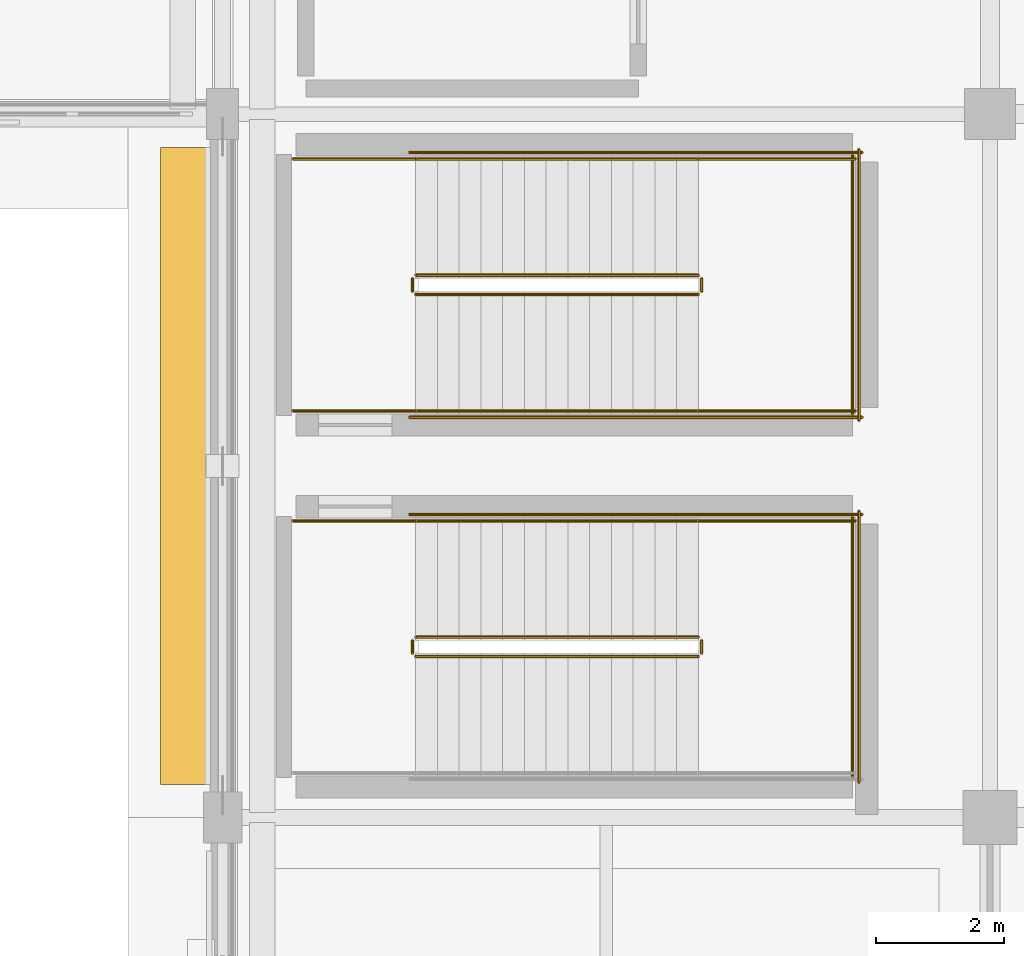
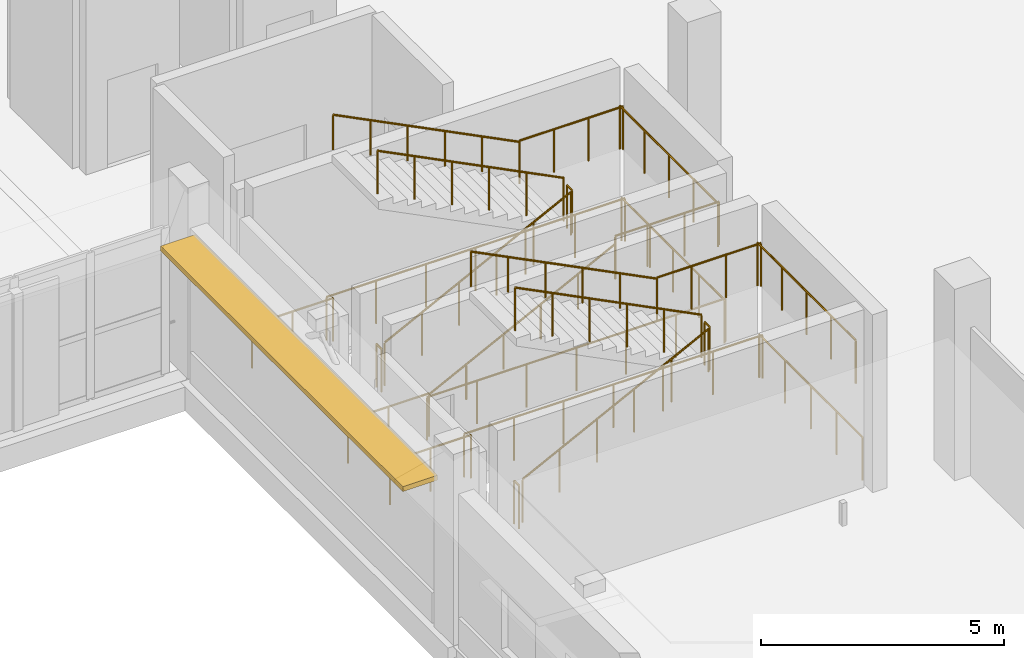
# One storey, part 126 of 143: 24 railings, 1 shading device.
"""IFC4 building model written with IfcOpenShell, lengths in metres."""

from ifc_helpers import new_model, si_unit, direction, frame, origin, origin_2d, place, context, subcontext, project, spatial, rectangle, circle, extrude, material, layer, layer_set, type_object, element, save


model = new_model("IFC4")

# Units and contexts
model_context = context("Model", 3, precision=1e-05, world=origin(), true_north=direction((0.0, 1.0)))
body_context = subcontext(model_context, "Body", "Model", "MODEL_VIEW")
ifc_project = project(units=[si_unit("LENGTHUNIT", "METRE"), si_unit("AREAUNIT", "SQUARE_METRE"), si_unit("VOLUMEUNIT", "CUBIC_METRE"), si_unit("PLANEANGLEUNIT", "RADIAN"), si_unit("MASSUNIT", "GRAM", prefix="KILO")], contexts=[model_context])

# Site, building, storey
site_placement = place(None, origin())
site = spatial("IfcSite", under=ifc_project, at=site_placement, CompositionType="ELEMENT")
building_placement = place(site_placement, origin())
building = spatial("IfcBuilding", under=site, at=building_placement, Name="Luwafu Chhajja Arena", CompositionType="ELEMENT")
storey_placement = place(building_placement, frame((0.0, 0.0, 5.39990234375)))
storey = spatial("IfcBuildingStorey", under=building, at=storey_placement, Name="L01", CompositionType="ELEMENT", Elevation=5.39990234375)

# Shading device
ifc_material_1 = material(Name="Red laterite sandstone chhajja", Category="masonry")
ifc_layer = layer(ifc_material_1, 0.1201171875, Name="Red laterite sandstone chhajja")
ifc_layer_set = layer_set([ifc_layer], Name="Red laterite sandstone chhajja")
shading_device_type = type_object("IfcShadingDeviceType", Name="Sloped Red-Sandstone Chhajja Eave", PredefinedType="USERDEFINED", material=ifc_layer_set)
shading_device_placement = place(storey_placement, frame((33.43994140625, 82.5, 3.5498046875), z_axis=(0.0, 0.0, 1.0), x_axis=(0.0, 1.0, 0.0)))
element("IfcShadingDevice", 1, at=shading_device_placement, inside=storey, type_object=shading_device_type, Name="L01 Sloped Red-Sandstone Chhajja Eave 036", ObjectType="CHHAJJA", PredefinedType="USERDEFINED", context=body_context, shape_type="SweptSolid", body=[
    extrude(rectangle(XDim=9.9599609375, YDim=0.820068359375, at=origin_2d()), origin(), (0.0, 0.0, 1.0), 0.1201171875),
])

# Railings
ifc_material_2 = material(Name="Stainless steel handrail", Category="steel")
railing_type_1 = type_object("IfcRailingType", Name="Stair Pitch Wall Handrail 920", PredefinedType="HANDRAIL", material=ifc_material_2)
railing_1_placement = place(storey_placement, frame((41.43994140625, 81.639892578125, 2.571533203125)))
element("IfcRailing", 2, at=railing_1_placement, inside=storey, type_object=railing_type_1, Name="L01 ST-05 stair handrail 2", PredefinedType="HANDRAIL", context=body_context, shape_type="SweptSolid", body=[
    extrude(circle(Radius=0.02392578125, at=origin_2d()), frame((0.0, 0.0, 0.8759765625), z_axis=(-0.89292277971, 0.0, 0.450209850486), x_axis=(0.0, -1.0, 0.0)), (0.0, 0.0, 1.0), 4.949951171875),
    extrude(circle(Radius=0.02099609375, at=origin_2d()), origin(), (0.0, 0.0, 1.0), 0.851806640625),
    extrude(circle(Radius=0.02099609375, at=origin_2d()), frame((-0.884033203125, 0.0, 0.44580078125)), (0.0, 0.0, 1.0), 0.851806640625),
    extrude(circle(Radius=0.02099609375, at=origin_2d()), frame((-1.76806640625, 0.0, 0.891357421875)), (0.0, 0.0, 1.0), 0.851806640625),
    extrude(circle(Radius=0.02099609375, at=origin_2d()), frame((-2.65185546875, 0.0, 1.337158203125)), (0.0, 0.0, 1.0), 0.851806640625),
    extrude(circle(Radius=0.02099609375, at=origin_2d()), frame((-3.535888671875, 0.0, 1.78271484375)), (0.0, 0.0, 1.0), 0.851806640625),
    extrude(circle(Radius=0.02099609375, at=origin_2d()), frame((-4.419921875, 0.0, 2.228515625)), (0.0, 0.0, 1.0), 0.851806640625),
])
railing_2_placement = place(storey_placement, frame((37.02001953125, 83.360107421875, 0.171630859375)))
element("IfcRailing", 3, at=railing_2_placement, inside=storey, type_object=railing_type_1, Name="L01 ST-06 stair handrail 1", PredefinedType="HANDRAIL", context=body_context, shape_type="SweptSolid", body=[
    extrude(circle(Radius=0.02392578125, at=origin_2d()), frame((0.0, 0.0, 0.8759765625), z_axis=(0.89292277971, 0.0, 0.450209850486), x_axis=(0.0, 1.0, 0.0)), (0.0, 0.0, 1.0), 4.949951171875),
    extrude(circle(Radius=0.02099609375, at=origin_2d()), origin(), (0.0, 0.0, 1.0), 0.851806640625),
    extrude(circle(Radius=0.02099609375, at=origin_2d()), frame((0.884033203125, 0.0, 0.44580078125)), (0.0, 0.0, 1.0), 0.851806640625),
    extrude(circle(Radius=0.02099609375, at=origin_2d()), frame((1.76806640625, 0.0, 0.891357421875)), (0.0, 0.0, 1.0), 0.851806640625),
    extrude(circle(Radius=0.02099609375, at=origin_2d()), frame((2.65185546875, 0.0, 1.337158203125)), (0.0, 0.0, 1.0), 0.851806640625),
    extrude(circle(Radius=0.02099609375, at=origin_2d()), frame((3.535888671875, 0.0, 1.78271484375)), (0.0, 0.0, 1.0), 0.851806640625),
    extrude(circle(Radius=0.02099609375, at=origin_2d()), frame((4.419921875, 0.0, 2.228515625)), (0.0, 0.0, 1.0), 0.851806640625),
])
railing_3_placement = place(storey_placement, frame((41.43994140625, 87.300048828125, 2.571533203125)))
element("IfcRailing", 4, at=railing_3_placement, inside=storey, type_object=railing_type_1, Name="L01 ST-06 stair handrail 2", PredefinedType="HANDRAIL", context=body_context, shape_type="SweptSolid", body=[
    extrude(circle(Radius=0.02392578125, at=origin_2d()), frame((0.0, 0.0, 0.8759765625), z_axis=(-0.89292277971, 0.0, 0.450209850486), x_axis=(0.0, -1.0, 0.0)), (0.0, 0.0, 1.0), 4.949951171875),
    extrude(circle(Radius=0.02099609375, at=origin_2d()), origin(), (0.0, 0.0, 1.0), 0.851806640625),
    extrude(circle(Radius=0.02099609375, at=origin_2d()), frame((-0.884033203125, 0.0, 0.44580078125)), (0.0, 0.0, 1.0), 0.851806640625),
    extrude(circle(Radius=0.02099609375, at=origin_2d()), frame((-1.76806640625, 0.0, 0.891357421875)), (0.0, 0.0, 1.0), 0.851806640625),
    extrude(circle(Radius=0.02099609375, at=origin_2d()), frame((-2.65185546875, 0.0, 1.337158203125)), (0.0, 0.0, 1.0), 0.851806640625),
    extrude(circle(Radius=0.02099609375, at=origin_2d()), frame((-3.535888671875, 0.0, 1.78271484375)), (0.0, 0.0, 1.0), 0.851806640625),
    extrude(circle(Radius=0.02099609375, at=origin_2d()), frame((-4.419921875, 0.0, 2.228515625)), (0.0, 0.0, 1.0), 0.851806640625),
])
ifc_material_3 = material(Name="Stainless steel balustrade", Category="steel")
railing_type_2 = type_object("IfcRailingType", Name="Stair and Terrace Guard Balustrade 1100", PredefinedType="BALUSTRADE", material=ifc_material_3)
railing_4_placement = place(storey_placement, frame((37.02001953125, 79.52001953125, 0.171630859375)))
element("IfcRailing", 5, at=railing_4_placement, inside=storey, type_object=railing_type_2, Name="L01 ST-05 stair guard 1", PredefinedType="BALUSTRADE", context=body_context, shape_type="SweptSolid", body=[
    extrude(circle(Radius=0.02392578125, at=origin_2d()), frame((0.0, 0.0, 1.076171875), z_axis=(0.89292277971, 0.0, 0.450209850486), x_axis=(0.0, 1.0, 0.0)), (0.0, 0.0, 1.0), 4.949951171875),
    extrude(circle(Radius=0.02099609375, at=origin_2d()), origin(), (0.0, 0.0, 1.0), 1.052001953125),
    extrude(circle(Radius=0.02099609375, at=origin_2d()), frame((0.884033203125, 0.0, 0.44580078125)), (0.0, 0.0, 1.0), 1.052001953125),
    extrude(circle(Radius=0.02099609375, at=origin_2d()), frame((1.76806640625, 0.0, 0.891357421875)), (0.0, 0.0, 1.0), 1.052001953125),
    extrude(circle(Radius=0.02099609375, at=origin_2d()), frame((2.65185546875, 0.0, 1.337158203125)), (0.0, 0.0, 1.0), 1.052001953125),
    extrude(circle(Radius=0.02099609375, at=origin_2d()), frame((3.535888671875, 0.0, 1.78271484375)), (0.0, 0.0, 1.0), 1.052001953125),
    extrude(circle(Radius=0.02099609375, at=origin_2d()), frame((4.419921875, 0.0, 2.228515625)), (0.0, 0.0, 1.0), 1.052001953125),
])
railing_5_placement = place(storey_placement, frame((41.489990234375, 79.570068359375, 2.400146484375)))
element("IfcRailing", 6, at=railing_5_placement, inside=storey, type_object=railing_type_2, Name="L01 ST-05 stair guard 2", PredefinedType="BALUSTRADE", context=body_context, shape_type="SweptSolid", body=[
    extrude(circle(Radius=0.02392578125, at=origin_2d()), frame((0.0, 0.0, 1.076171875), z_axis=(0.0, 1.0, 0.0), x_axis=(-1.0, 0.0, 0.0)), (0.0, 0.0, 1.0), 0.199951171875),
    extrude(circle(Radius=0.02099609375, at=origin_2d()), origin(), (0.0, 0.0, 1.0), 1.052001953125),
    extrude(circle(Radius=0.02099609375, at=origin_2d()), frame((0.0, 0.199951171875, 0.0)), (0.0, 0.0, 1.0), 1.052001953125),
])
railing_6_placement = place(storey_placement, frame((41.43994140625, 81.639892578125, 2.400146484375)))
element("IfcRailing", 7, at=railing_6_placement, inside=storey, type_object=railing_type_2, Name="L01 ST-05 stair guard 4", PredefinedType="BALUSTRADE", context=body_context, shape_type="SweptSolid", body=[
    extrude(circle(Radius=0.02392578125, at=origin_2d()), frame((0.0, 0.0, 1.076171875), z_axis=(1.0, 0.0, 0.0), x_axis=(0.0, 1.0, 0.0)), (0.0, 0.0, 1.0), 2.4599609375),
    extrude(circle(Radius=0.02099609375, at=origin_2d()), origin(), (0.0, 0.0, 1.0), 1.052001953125),
    extrude(circle(Radius=0.02099609375, at=origin_2d()), frame((0.820068359375, 0.0, 0.0)), (0.0, 0.0, 1.0), 1.052001953125),
    extrude(circle(Radius=0.02099609375, at=origin_2d()), frame((1.639892578125, 0.0, 0.0)), (0.0, 0.0, 1.0), 1.052001953125),
    extrude(circle(Radius=0.02099609375, at=origin_2d()), frame((2.4599609375, 0.0, 0.0)), (0.0, 0.0, 1.0), 1.052001953125),
])
railing_7_placement = place(storey_placement, frame((43.85009765625, 77.64990234375, 2.400146484375)))
element("IfcRailing", 8, at=railing_7_placement, inside=storey, type_object=railing_type_2, Name="L01 ST-05 stair guard 5", PredefinedType="BALUSTRADE", context=body_context, shape_type="SweptSolid", body=[
    extrude(circle(Radius=0.02392578125, at=origin_2d()), frame((0.0, 0.0, 1.076171875), z_axis=(0.0, 1.0, 0.0), x_axis=(-1.0, 0.0, 0.0)), (0.0, 0.0, 1.0), 4.0400390625),
    extrude(circle(Radius=0.02099609375, at=origin_2d()), origin(), (0.0, 0.0, 1.0), 1.052001953125),
    extrude(circle(Radius=0.02099609375, at=origin_2d()), frame((0.0, 1.010009765625, 0.0)), (0.0, 0.0, 1.0), 1.052001953125),
    extrude(circle(Radius=0.02099609375, at=origin_2d()), frame((0.0, 2.02001953125, 0.0)), (0.0, 0.0, 1.0), 1.052001953125),
    extrude(circle(Radius=0.02099609375, at=origin_2d()), frame((0.0, 3.030029296875, 0.0)), (0.0, 0.0, 1.0), 1.052001953125),
    extrude(circle(Radius=0.02099609375, at=origin_2d()), frame((0.0, 4.0400390625, 0.0)), (0.0, 0.0, 1.0), 1.052001953125),
])
railing_8_placement = place(storey_placement, frame((41.43994140625, 79.820068359375, 2.571533203125)))
element("IfcRailing", 9, at=railing_8_placement, inside=storey, type_object=railing_type_2, Name="L01 ST-05 stair guard 6", PredefinedType="BALUSTRADE", context=body_context, shape_type="SweptSolid", body=[
    extrude(circle(Radius=0.02392578125, at=origin_2d()), frame((0.0, 0.0, 1.076171875), z_axis=(-0.89292277971, 0.0, 0.450209850486), x_axis=(0.0, -1.0, 0.0)), (0.0, 0.0, 1.0), 4.949951171875),
    extrude(circle(Radius=0.02099609375, at=origin_2d()), origin(), (0.0, 0.0, 1.0), 1.052001953125),
    extrude(circle(Radius=0.02099609375, at=origin_2d()), frame((-0.884033203125, 0.0, 0.44580078125)), (0.0, 0.0, 1.0), 1.052001953125),
    extrude(circle(Radius=0.02099609375, at=origin_2d()), frame((-1.76806640625, 0.0, 0.891357421875)), (0.0, 0.0, 1.0), 1.052001953125),
    extrude(circle(Radius=0.02099609375, at=origin_2d()), frame((-2.65185546875, 0.0, 1.337158203125)), (0.0, 0.0, 1.0), 1.052001953125),
    extrude(circle(Radius=0.02099609375, at=origin_2d()), frame((-3.535888671875, 0.0, 1.78271484375)), (0.0, 0.0, 1.0), 1.052001953125),
    extrude(circle(Radius=0.02099609375, at=origin_2d()), frame((-4.419921875, 0.0, 2.228515625)), (0.0, 0.0, 1.0), 1.052001953125),
])
railing_9_placement = place(storey_placement, frame((36.969970703125, 79.570068359375, 0.0)))
element("IfcRailing", 10, at=railing_9_placement, inside=storey, type_object=railing_type_2, Name="L01 ST-05 stair guard 7", PredefinedType="BALUSTRADE", context=body_context, shape_type="SweptSolid", body=[
    extrude(circle(Radius=0.02392578125, at=origin_2d()), frame((0.0, 0.0, 1.076171875), z_axis=(0.0, 1.0, 0.0), x_axis=(-1.0, 0.0, 0.0)), (0.0, 0.0, 1.0), 0.199951171875),
    extrude(circle(Radius=0.02099609375, at=origin_2d()), origin(), (0.0, 0.0, 1.0), 1.052001953125),
    extrude(circle(Radius=0.02099609375, at=origin_2d()), frame((0.0, 0.199951171875, 0.0)), (0.0, 0.0, 1.0), 1.052001953125),
])
railing_10_placement = place(storey_placement, frame((35.10009765625, 81.639892578125, 0.0)))
element("IfcRailing", 11, at=railing_10_placement, inside=storey, type_object=railing_type_2, Name="L01 ST-05 stair guard 9", PredefinedType="BALUSTRADE", context=body_context, shape_type="SweptSolid", body=[
    extrude(circle(Radius=0.02392578125, at=origin_2d()), frame((0.0, 0.0, 1.076171875), z_axis=(1.0, 0.0, 0.0), x_axis=(0.0, 1.0, 0.0)), (0.0, 0.0, 1.0), 1.919921875),
    extrude(circle(Radius=0.02099609375, at=origin_2d()), origin(), (0.0, 0.0, 1.0), 1.052001953125),
    extrude(circle(Radius=0.02099609375, at=origin_2d()), frame((0.9599609375, 0.0, 0.0)), (0.0, 0.0, 1.0), 1.052001953125),
    extrude(circle(Radius=0.02099609375, at=origin_2d()), frame((1.919921875, 0.0, 0.0)), (0.0, 0.0, 1.0), 1.052001953125),
])
railing_11_placement = place(storey_placement, frame((36.919921875, 81.739990234375, 0.0)))
element("IfcRailing", 12, at=railing_11_placement, inside=storey, type_object=railing_type_2, Name="L01 ST-05 stair guard 11", PredefinedType="BALUSTRADE", context=body_context, shape_type="SweptSolid", body=[
    extrude(circle(Radius=0.02392578125, at=origin_2d()), frame((0.0, 0.0, 1.076171875), z_axis=(1.0, 0.0, 0.0), x_axis=(0.0, 1.0, 0.0)), (0.0, 0.0, 1.0), 7.080078125),
    extrude(circle(Radius=0.02099609375, at=origin_2d()), origin(), (0.0, 0.0, 1.0), 1.052001953125),
    extrude(circle(Radius=0.02099609375, at=origin_2d()), frame((1.179931640625, 0.0, 0.0)), (0.0, 0.0, 1.0), 1.052001953125),
    extrude(circle(Radius=0.02099609375, at=origin_2d()), frame((2.360107421875, 0.0, 0.0)), (0.0, 0.0, 1.0), 1.052001953125),
    extrude(circle(Radius=0.02099609375, at=origin_2d()), frame((3.5400390625, 0.0, 0.0)), (0.0, 0.0, 1.0), 1.052001953125),
    extrude(circle(Radius=0.02099609375, at=origin_2d()), frame((4.719970703125, 0.0, 0.0)), (0.0, 0.0, 1.0), 1.052001953125),
    extrude(circle(Radius=0.02099609375, at=origin_2d()), frame((5.900146484375, 0.0, 0.0)), (0.0, 0.0, 1.0), 1.052001953125),
    extrude(circle(Radius=0.02099609375, at=origin_2d()), frame((7.080078125, 0.0, 0.0)), (0.0, 0.0, 1.0), 1.052001953125),
])
railing_12_placement = place(storey_placement, frame((43.949951171875, 77.550048828125, 0.0)))
element("IfcRailing", 13, at=railing_12_placement, inside=storey, type_object=railing_type_2, Name="L01 ST-05 stair guard 12", PredefinedType="BALUSTRADE", context=body_context, shape_type="SweptSolid", body=[
    extrude(circle(Radius=0.02392578125, at=origin_2d()), frame((0.0, 0.0, 1.076171875), z_axis=(0.0, 1.0, 0.0), x_axis=(-1.0, 0.0, 0.0)), (0.0, 0.0, 1.0), 4.239990234375),
    extrude(circle(Radius=0.02099609375, at=origin_2d()), origin(), (0.0, 0.0, 1.0), 1.052001953125),
    extrude(circle(Radius=0.02099609375, at=origin_2d()), frame((0.0, 1.06005859375, 0.0)), (0.0, 0.0, 1.0), 1.052001953125),
    extrude(circle(Radius=0.02099609375, at=origin_2d()), frame((0.0, 2.1201171875, 0.0)), (0.0, 0.0, 1.0), 1.052001953125),
    extrude(circle(Radius=0.02099609375, at=origin_2d()), frame((0.0, 3.179931640625, 0.0)), (0.0, 0.0, 1.0), 1.052001953125),
    extrude(circle(Radius=0.02099609375, at=origin_2d()), frame((0.0, 4.239990234375, 0.0)), (0.0, 0.0, 1.0), 1.052001953125),
])
railing_13_placement = place(storey_placement, frame((37.02001953125, 85.179931640625, 0.171630859375)))
element("IfcRailing", 14, at=railing_13_placement, inside=storey, type_object=railing_type_2, Name="L01 ST-06 stair guard 1", PredefinedType="BALUSTRADE", context=body_context, shape_type="SweptSolid", body=[
    extrude(circle(Radius=0.02392578125, at=origin_2d()), frame((0.0, 0.0, 1.076171875), z_axis=(0.89292277971, 0.0, 0.450209850486), x_axis=(0.0, 1.0, 0.0)), (0.0, 0.0, 1.0), 4.949951171875),
    extrude(circle(Radius=0.02099609375, at=origin_2d()), origin(), (0.0, 0.0, 1.0), 1.052001953125),
    extrude(circle(Radius=0.02099609375, at=origin_2d()), frame((0.884033203125, 0.0, 0.44580078125)), (0.0, 0.0, 1.0), 1.052001953125),
    extrude(circle(Radius=0.02099609375, at=origin_2d()), frame((1.76806640625, 0.0, 0.891357421875)), (0.0, 0.0, 1.0), 1.052001953125),
    extrude(circle(Radius=0.02099609375, at=origin_2d()), frame((2.65185546875, 0.0, 1.337158203125)), (0.0, 0.0, 1.0), 1.052001953125),
    extrude(circle(Radius=0.02099609375, at=origin_2d()), frame((3.535888671875, 0.0, 1.78271484375)), (0.0, 0.0, 1.0), 1.052001953125),
    extrude(circle(Radius=0.02099609375, at=origin_2d()), frame((4.419921875, 0.0, 2.228515625)), (0.0, 0.0, 1.0), 1.052001953125),
])
railing_14_placement = place(storey_placement, frame((41.489990234375, 85.22998046875, 2.400146484375)))
element("IfcRailing", 15, at=railing_14_placement, inside=storey, type_object=railing_type_2, Name="L01 ST-06 stair guard 2", PredefinedType="BALUSTRADE", context=body_context, shape_type="SweptSolid", body=[
    extrude(circle(Radius=0.02392578125, at=origin_2d()), frame((0.0, 0.0, 1.076171875), z_axis=(0.0, 1.0, 0.0), x_axis=(-1.0, 0.0, 0.0)), (0.0, 0.0, 1.0), 0.199951171875),
    extrude(circle(Radius=0.02099609375, at=origin_2d()), origin(), (0.0, 0.0, 1.0), 1.052001953125),
    extrude(circle(Radius=0.02099609375, at=origin_2d()), frame((0.0, 0.199951171875, 0.0)), (0.0, 0.0, 1.0), 1.052001953125),
])
for number, where, name in (
    (16, (41.43994140625, 83.360107421875, 2.400146484375), "L01 ST-06 stair guard 3"),
    (17, (41.43994140625, 87.300048828125, 2.400146484375), "L01 ST-06 stair guard 4"),
):
    element("IfcRailing", number, at=place(storey_placement, frame(where)), inside=storey, type_object=railing_type_2, Name=name, PredefinedType="BALUSTRADE", context=body_context, shape_type="SweptSolid", body=[
        extrude(circle(Radius=0.02392578125, at=origin_2d()), frame((0.0, 0.0, 1.076171875), z_axis=(1.0, 0.0, 0.0), x_axis=(0.0, 1.0, 0.0)), (0.0, 0.0, 1.0), 2.4599609375),
        extrude(circle(Radius=0.02099609375, at=origin_2d()), origin(), (0.0, 0.0, 1.0), 1.052001953125),
        extrude(circle(Radius=0.02099609375, at=origin_2d()), frame((0.820068359375, 0.0, 0.0)), (0.0, 0.0, 1.0), 1.052001953125),
        extrude(circle(Radius=0.02099609375, at=origin_2d()), frame((1.639892578125, 0.0, 0.0)), (0.0, 0.0, 1.0), 1.052001953125),
        extrude(circle(Radius=0.02099609375, at=origin_2d()), frame((2.4599609375, 0.0, 0.0)), (0.0, 0.0, 1.0), 1.052001953125),
    ])
railing_15_placement = place(storey_placement, frame((43.85009765625, 83.31005859375, 2.400146484375)))
element("IfcRailing", 18, at=railing_15_placement, inside=storey, type_object=railing_type_2, Name="L01 ST-06 stair guard 5", PredefinedType="BALUSTRADE", context=body_context, shape_type="SweptSolid", body=[
    extrude(circle(Radius=0.02392578125, at=origin_2d()), frame((0.0, 0.0, 1.076171875), z_axis=(0.0, 1.0, 0.0), x_axis=(-1.0, 0.0, 0.0)), (0.0, 0.0, 1.0), 4.0400390625),
    extrude(circle(Radius=0.02099609375, at=origin_2d()), origin(), (0.0, 0.0, 1.0), 1.052001953125),
    extrude(circle(Radius=0.02099609375, at=origin_2d()), frame((0.0, 1.010009765625, 0.0)), (0.0, 0.0, 1.0), 1.052001953125),
    extrude(circle(Radius=0.02099609375, at=origin_2d()), frame((0.0, 2.02001953125, 0.0)), (0.0, 0.0, 1.0), 1.052001953125),
    extrude(circle(Radius=0.02099609375, at=origin_2d()), frame((0.0, 3.030029296875, 0.0)), (0.0, 0.0, 1.0), 1.052001953125),
    extrude(circle(Radius=0.02099609375, at=origin_2d()), frame((0.0, 4.0400390625, 0.0)), (0.0, 0.0, 1.0), 1.052001953125),
])
railing_16_placement = place(storey_placement, frame((41.43994140625, 85.47998046875, 2.571533203125)))
element("IfcRailing", 19, at=railing_16_placement, inside=storey, type_object=railing_type_2, Name="L01 ST-06 stair guard 6", PredefinedType="BALUSTRADE", context=body_context, shape_type="SweptSolid", body=[
    extrude(circle(Radius=0.02392578125, at=origin_2d()), frame((0.0, 0.0, 1.076171875), z_axis=(-0.89292277971, 0.0, 0.450209850486), x_axis=(0.0, -1.0, 0.0)), (0.0, 0.0, 1.0), 4.949951171875),
    extrude(circle(Radius=0.02099609375, at=origin_2d()), origin(), (0.0, 0.0, 1.0), 1.052001953125),
    extrude(circle(Radius=0.02099609375, at=origin_2d()), frame((-0.884033203125, 0.0, 0.44580078125)), (0.0, 0.0, 1.0), 1.052001953125),
    extrude(circle(Radius=0.02099609375, at=origin_2d()), frame((-1.76806640625, 0.0, 0.891357421875)), (0.0, 0.0, 1.0), 1.052001953125),
    extrude(circle(Radius=0.02099609375, at=origin_2d()), frame((-2.65185546875, 0.0, 1.337158203125)), (0.0, 0.0, 1.0), 1.052001953125),
    extrude(circle(Radius=0.02099609375, at=origin_2d()), frame((-3.535888671875, 0.0, 1.78271484375)), (0.0, 0.0, 1.0), 1.052001953125),
    extrude(circle(Radius=0.02099609375, at=origin_2d()), frame((-4.419921875, 0.0, 2.228515625)), (0.0, 0.0, 1.0), 1.052001953125),
])
railing_17_placement = place(storey_placement, frame((36.969970703125, 85.22998046875, 0.0)))
element("IfcRailing", 20, at=railing_17_placement, inside=storey, type_object=railing_type_2, Name="L01 ST-06 stair guard 7", PredefinedType="BALUSTRADE", context=body_context, shape_type="SweptSolid", body=[
    extrude(circle(Radius=0.02392578125, at=origin_2d()), frame((0.0, 0.0, 1.076171875), z_axis=(0.0, 1.0, 0.0), x_axis=(-1.0, 0.0, 0.0)), (0.0, 0.0, 1.0), 0.199951171875),
    extrude(circle(Radius=0.02099609375, at=origin_2d()), origin(), (0.0, 0.0, 1.0), 1.052001953125),
    extrude(circle(Radius=0.02099609375, at=origin_2d()), frame((0.0, 0.199951171875, 0.0)), (0.0, 0.0, 1.0), 1.052001953125),
])
for number, where, name in (
    (21, (35.10009765625, 83.360107421875, 0.0), "L01 ST-06 stair guard 8"),
    (22, (35.10009765625, 87.300048828125, 0.0), "L01 ST-06 stair guard 9"),
):
    element("IfcRailing", number, at=place(storey_placement, frame(where)), inside=storey, type_object=railing_type_2, Name=name, PredefinedType="BALUSTRADE", context=body_context, shape_type="SweptSolid", body=[
        extrude(circle(Radius=0.02392578125, at=origin_2d()), frame((0.0, 0.0, 1.076171875), z_axis=(1.0, 0.0, 0.0), x_axis=(0.0, 1.0, 0.0)), (0.0, 0.0, 1.0), 1.919921875),
        extrude(circle(Radius=0.02099609375, at=origin_2d()), origin(), (0.0, 0.0, 1.0), 1.052001953125),
        extrude(circle(Radius=0.02099609375, at=origin_2d()), frame((0.9599609375, 0.0, 0.0)), (0.0, 0.0, 1.0), 1.052001953125),
        extrude(circle(Radius=0.02099609375, at=origin_2d()), frame((1.919921875, 0.0, 0.0)), (0.0, 0.0, 1.0), 1.052001953125),
    ])
for number, where, name in (
    (23, (36.919921875, 83.260009765625, 0.0), "L01 ST-06 stair guard 10"),
    (24, (36.919921875, 87.39990234375, 0.0), "L01 ST-06 stair guard 11"),
):
    element("IfcRailing", number, at=place(storey_placement, frame(where)), inside=storey, type_object=railing_type_2, Name=name, PredefinedType="BALUSTRADE", context=body_context, shape_type="SweptSolid", body=[
        extrude(circle(Radius=0.02392578125, at=origin_2d()), frame((0.0, 0.0, 1.076171875), z_axis=(1.0, 0.0, 0.0), x_axis=(0.0, 1.0, 0.0)), (0.0, 0.0, 1.0), 7.080078125),
        extrude(circle(Radius=0.02099609375, at=origin_2d()), origin(), (0.0, 0.0, 1.0), 1.052001953125),
        extrude(circle(Radius=0.02099609375, at=origin_2d()), frame((1.179931640625, 0.0, 0.0)), (0.0, 0.0, 1.0), 1.052001953125),
        extrude(circle(Radius=0.02099609375, at=origin_2d()), frame((2.360107421875, 0.0, 0.0)), (0.0, 0.0, 1.0), 1.052001953125),
        extrude(circle(Radius=0.02099609375, at=origin_2d()), frame((3.5400390625, 0.0, 0.0)), (0.0, 0.0, 1.0), 1.052001953125),
        extrude(circle(Radius=0.02099609375, at=origin_2d()), frame((4.719970703125, 0.0, 0.0)), (0.0, 0.0, 1.0), 1.052001953125),
        extrude(circle(Radius=0.02099609375, at=origin_2d()), frame((5.900146484375, 0.0, 0.0)), (0.0, 0.0, 1.0), 1.052001953125),
        extrude(circle(Radius=0.02099609375, at=origin_2d()), frame((7.080078125, 0.0, 0.0)), (0.0, 0.0, 1.0), 1.052001953125),
    ])
railing_18_placement = place(storey_placement, frame((43.949951171875, 83.2099609375, 0.0)))
element("IfcRailing", 25, at=railing_18_placement, inside=storey, type_object=railing_type_2, Name="L01 ST-06 stair guard 12", PredefinedType="BALUSTRADE", context=body_context, shape_type="SweptSolid", body=[
    extrude(circle(Radius=0.02392578125, at=origin_2d()), frame((0.0, 0.0, 1.076171875), z_axis=(0.0, 1.0, 0.0), x_axis=(-1.0, 0.0, 0.0)), (0.0, 0.0, 1.0), 4.239990234375),
    extrude(circle(Radius=0.02099609375, at=origin_2d()), origin(), (0.0, 0.0, 1.0), 1.052001953125),
    extrude(circle(Radius=0.02099609375, at=origin_2d()), frame((0.0, 1.06005859375, 0.0)), (0.0, 0.0, 1.0), 1.052001953125),
    extrude(circle(Radius=0.02099609375, at=origin_2d()), frame((0.0, 2.1201171875, 0.0)), (0.0, 0.0, 1.0), 1.052001953125),
    extrude(circle(Radius=0.02099609375, at=origin_2d()), frame((0.0, 3.179931640625, 0.0)), (0.0, 0.0, 1.0), 1.052001953125),
    extrude(circle(Radius=0.02099609375, at=origin_2d()), frame((0.0, 4.239990234375, 0.0)), (0.0, 0.0, 1.0), 1.052001953125),
])

save(model, "model.ifc")
